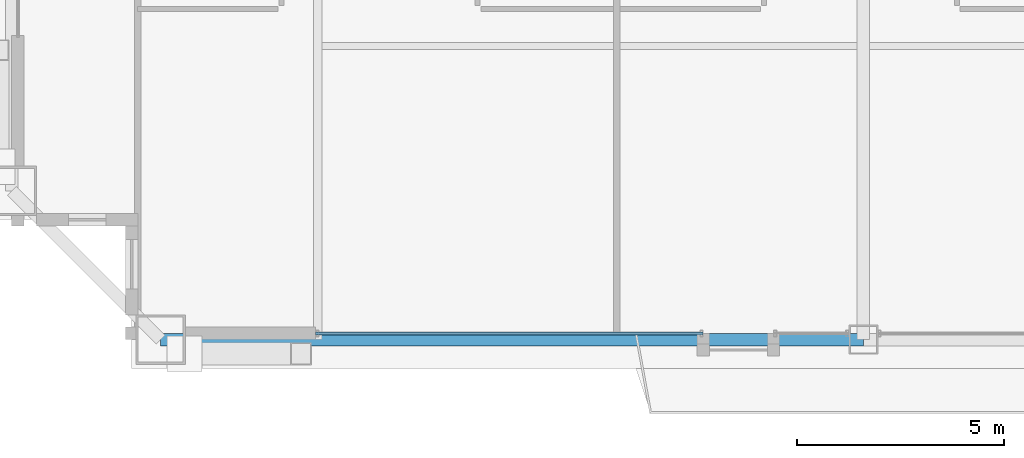
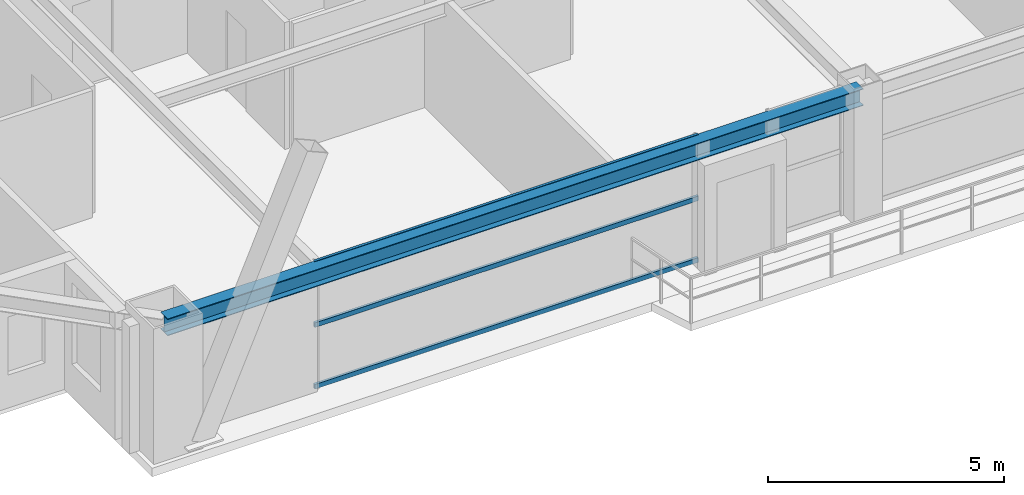
# One storey, part 4 of 34: 3 members, 1 beam, 1 element without a shape of its own.
"""IFC4 building model written with IfcOpenShell, lengths in metres."""

from ifc_helpers import new_model, si_unit, direction, frame, origin, origin_2d, place, context, subcontext, project, spatial, hollow_rectangle, i_section, extrude, source, transform, mapped, material, layer, layer_set, material_profile, profile_set, type_object, element, aggregate, save


model = new_model("IFC4")

# Units and contexts
model_context = context("Model", 3, precision=1e-05, world=origin(), true_north=direction((0.0, 1.0)))
body_context = subcontext(model_context, "Body", "Model", "MODEL_VIEW")
ifc_project = project(units=[si_unit("LENGTHUNIT", "METRE"), si_unit("AREAUNIT", "SQUARE_METRE"), si_unit("VOLUMEUNIT", "CUBIC_METRE"), si_unit("PLANEANGLEUNIT", "RADIAN"), si_unit("MASSUNIT", "GRAM", prefix="KILO"), si_unit("THERMODYNAMICTEMPERATUREUNIT", "KELVIN"), si_unit("POWERUNIT", "WATT")], contexts=[model_context])

# Site, building, storey
site_placement = place(None, origin())
site = spatial("IfcSite", under=ifc_project, at=site_placement, CompositionType="ELEMENT")
building_placement = place(site_placement, origin())
building = spatial("IfcBuilding", under=site, at=building_placement, Name="Yuzanri Waterfront Tower", CompositionType="ELEMENT")
storey_placement = place(building_placement, frame((0.0, 0.0, 241.60009765625)))
storey = spatial("IfcBuildingStorey", under=building, at=storey_placement, Name="L64", CompositionType="ELEMENT", Elevation=241.60009765625)

# Beam
ifc_material_1 = material(Name="Steel Q355B", Category="steel")
ifc_material_profile_1 = material_profile(ifc_material_1, i_section(OverallWidth=0.300048828125, OverallDepth=0.43994140625, WebThickness=0.010986328125, FlangeThickness=0.01806640625, at=origin_2d()), Name="HM 440x300x11x18")
ifc_profile_set_1 = profile_set([ifc_material_profile_1], Name="Steel Q355B")
beam_type = type_object("IfcBeamType", Name="Perimeter Spandrel Q355B HM 440x300", PredefinedType="SPANDREL", material=ifc_profile_set_1)
shared_shape_1 = source(origin(), body_context, "Body", "SweptSolid", [
    extrude(i_section(OverallWidth=0.300048828125, OverallDepth=0.43994140625, WebThickness=0.010986328125, FlangeThickness=0.01806640625, at=origin_2d()), origin(), (0.0, 0.0, 1.0), 17.0),
])
beam_placement = place(storey_placement, frame((20.0, 5.199951171875, 3.059814453125), z_axis=(1.0, 0.0, 0.0), x_axis=(0.0, 1.0, 0.0)))
element("IfcBeam", 1, at=beam_placement, inside=storey, type_object=beam_type, Name="L64 Perimeter Spandrel S1-S2", PredefinedType="SPANDREL", context=body_context, shape_type="MappedRepresentation", body=[
    mapped(shared_shape_1, transform((0.0, 0.0, 0.0), scale=1.0)),
])

# Curtain wall, members
ifc_material_2 = material(Name="Anodized Architectural Bronze", Category="metal")
ifc_layer = layer(ifc_material_2, 0.159912109375)
ifc_layer_set = layer_set([ifc_layer], Name="Anodized Architectural Bronze")
curtain_wall_type = type_object("IfcCurtainWallType", Name="Anodized Bronze Mid-Rise Residential Acoustic Unitized Curtain Wall 7200", PredefinedType="NOTDEFINED", material=ifc_layer_set)
curtain_wall_placement = place(storey_placement, origin())
curtain_wall = element("IfcCurtainWall", 2, at=curtain_wall_placement, inside=storey, type_object=curtain_wall_type, Name="L64 Curtain Wall CW-L64-SL1", PredefinedType="NOTDEFINED")
ifc_material_3 = material(Name="Anodized Architectural Bronze", Category="metal")
ifc_material_profile_2 = material_profile(ifc_material_3, hollow_rectangle(XDim=0.06494140625, YDim=0.1201171875, WallThickness=0.00341796875, at=origin_2d()), Name="CWT 65x120")
ifc_profile_set_2 = profile_set([ifc_material_profile_2], Name="Anodized Architectural Bronze")
member_type = type_object("IfcMemberType", Name="Anodized Bronze Secondary Curtain-Wall Transom 65x120", PredefinedType="USERDEFINED", material=ifc_profile_set_2)
shared_shape_2 = source(origin(), body_context, "Body", "SweptSolid", [
    extrude(hollow_rectangle(XDim=0.06494140625, YDim=0.1201171875, WallThickness=0.00341796875, at=origin_2d()), origin(), (0.0, 0.0, 1.0), 9.375),
])
member_1_placement = place(storey_placement, frame((23.75, 5.35009765625, 0.0498046875), z_axis=(1.0, 0.0, 0.0), x_axis=(0.0, 1.0, 0.0)))
member_1 = element("IfcMember", 3, at=member_1_placement, type_object=member_type, Name="CW-L64-SL1 Transom 1", ObjectType="TRANSOM", PredefinedType="USERDEFINED", context=body_context, shape_type="MappedRepresentation", body=[
    mapped(shared_shape_2, transform((0.0, 0.0, 0.0), scale=1.0)),
])
member_2_placement = place(storey_placement, frame((23.75, 5.35009765625, 1.639892578125), z_axis=(1.0, 0.0, 0.0), x_axis=(0.0, 1.0, 0.0)))
member_2 = element("IfcMember", 4, at=member_2_placement, type_object=member_type, Name="CW-L64-SL1 Transom 2", ObjectType="TRANSOM", PredefinedType="USERDEFINED", context=body_context, shape_type="MappedRepresentation", body=[
    mapped(shared_shape_2, transform((0.0, 0.0, 0.0), scale=1.0)),
])
member_3_placement = place(storey_placement, frame((23.75, 5.35009765625, 3.22998046875), z_axis=(1.0, 0.0, 0.0), x_axis=(0.0, 1.0, 0.0)))
member_3 = element("IfcMember", 5, at=member_3_placement, type_object=member_type, Name="CW-L64-SL1 Transom 3", ObjectType="TRANSOM", PredefinedType="USERDEFINED", context=body_context, shape_type="MappedRepresentation", body=[
    mapped(shared_shape_2, transform((0.0, 0.0, 0.0), scale=1.0)),
])
aggregate(curtain_wall, [member_1, member_2, member_3])

save(model, "model.ifc")
